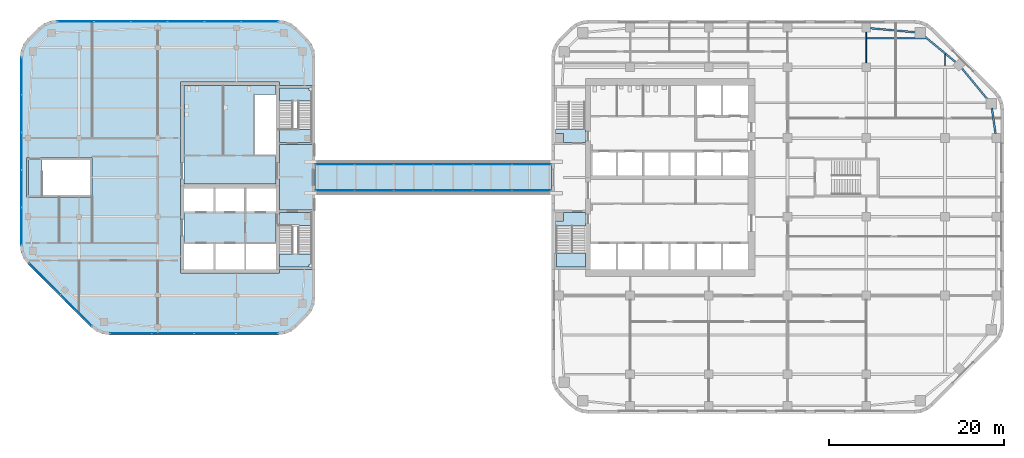
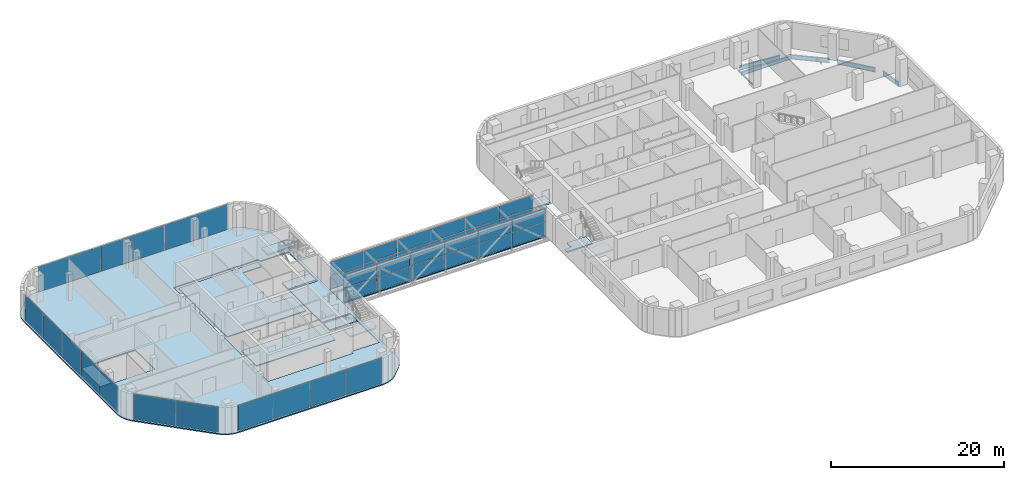
# One storey, part 9 of 21: 41 plates, 12 slabs, 7 beams, 14 elements without a shape of their own.
"""IFC4 building model written with IfcOpenShell, lengths in metres."""

from ifc_helpers import new_model, si_unit, direction, frame, origin, origin_2d, place, context, subcontext, project, spatial, polyline, rectangle, i_section, outline, extrude, material, layer, layer_set, material_profile, profile_set, type_object, element, aggregate, save


model = new_model("IFC4")

# Units and contexts
model_context = context("Model", 3, precision=1e-05, world=origin(), true_north=direction((0.0, 1.0)))
body_context = subcontext(model_context, "Body", "Model", "MODEL_VIEW")
ifc_project = project(units=[si_unit("LENGTHUNIT", "METRE"), si_unit("AREAUNIT", "SQUARE_METRE"), si_unit("VOLUMEUNIT", "CUBIC_METRE"), si_unit("PLANEANGLEUNIT", "RADIAN"), si_unit("MASSUNIT", "GRAM", prefix="KILO")], contexts=[model_context])

# Site, building, storey
site_placement = place(None, origin())
site = spatial("IfcSite", under=ifc_project, at=site_placement, CompositionType="ELEMENT")
building_placement = place(site_placement, origin())
building = spatial("IfcBuilding", under=site, at=building_placement, Name="Cinnabar Reach Civic Tower", CompositionType="ELEMENT")
storey_placement = place(building_placement, frame((0.0, 0.0, 140.0)))
storey = spatial("IfcBuildingStorey", under=building, at=storey_placement, Name="L33", CompositionType="ELEMENT", Elevation=140.0)

# Beams
ifc_material_1 = material(Name="Steel Q355B", Category="steel")
ifc_material_profile_1 = material_profile(ifc_material_1, i_section(OverallWidth=0.099, OverallDepth=0.198, WebThickness=0.0045, FlangeThickness=0.007, FilletRadius=0.013, at=origin_2d()), Name="HN200x100x5.5x8")
ifc_profile_set_1 = profile_set([ifc_material_profile_1], Name="Steel Q355B")
beam_type_1 = type_object("IfcBeamType", Name="HN200x100x5.5x8 beam R 180", PredefinedType="BEAM", material=ifc_profile_set_1)
beam_1_placement = place(storey_placement, frame((36.0, 44.602, -0.249), z_axis=(0.0, 1.0, 0.0), x_axis=(-1.0, 0.0, 0.0)))
element("IfcBeam", 1, at=beam_1_placement, inside=storey, type_object=beam_type_1, Name="Girder T1 L33 21", PredefinedType="BEAM", context=body_context, shape_type="SweptSolid", body=[
    extrude(i_section(OverallWidth=0.099, OverallDepth=0.198, WebThickness=0.0045, FlangeThickness=0.007, FilletRadius=0.013, at=origin_2d()), origin(), (0.0, 0.0, 1.0), 3.496),
])
beam_2_placement = place(storey_placement, frame((45.0, 44.252, -0.249), z_axis=(0.0, 1.0, 0.0), x_axis=(-1.0, 0.0, 0.0)))
element("IfcBeam", 2, at=beam_2_placement, inside=storey, type_object=beam_type_1, Name="Girder T1 L33 26", PredefinedType="BEAM", context=body_context, shape_type="SweptSolid", body=[
    extrude(i_section(OverallWidth=0.099, OverallDepth=0.198, WebThickness=0.0045, FlangeThickness=0.007, FilletRadius=0.013, at=origin_2d()), origin(), (0.0, 0.0, 1.0), 1.3103),
])
ifc_material_profile_2 = material_profile(ifc_material_1, i_section(OverallWidth=0.199, OverallDepth=0.496, WebThickness=0.009, FlangeThickness=0.014, FilletRadius=0.016, at=origin_2d()), Name="HN496x199x9x14")
ifc_profile_set_2 = profile_set([ifc_material_profile_2], Name="Steel Q355B")
beam_type_2 = type_object("IfcBeamType", Name="HN496x199x9x14 beam R 180", PredefinedType="BEAM", material=ifc_profile_set_2)
beam_3_placement = place(storey_placement, frame((36.0515, 47.4, -0.398), z_axis=(1.0, 0.0, 0.0), x_axis=(0.0, 1.0, 0.0)))
element("IfcBeam", 3, at=beam_3_placement, inside=storey, type_object=beam_type_2, Name="Secondary beam T1 L33 24", PredefinedType="BEAM", context=body_context, shape_type="SweptSolid", body=[
    extrude(i_section(OverallWidth=0.199, OverallDepth=0.496, WebThickness=0.009, FlangeThickness=0.014, FilletRadius=0.016, at=origin_2d()), origin(), (0.0, 0.0, 1.0), 6.7206),
])
ifc_material_profile_3 = material_profile(ifc_material_1, i_section(OverallWidth=0.2, OverallDepth=0.6, WebThickness=0.011, FlangeThickness=0.017, FilletRadius=0.016, at=origin_2d()), Name="HN600x200x11x17")
ifc_profile_set_3 = profile_set([ifc_material_profile_3], Name="Steel Q355B")
beam_type_3 = type_object("IfcBeamType", Name="HN600x200x11x17 beam R 180", PredefinedType="BEAM", material=ifc_profile_set_3)
beam_4_placement = place(storey_placement, frame((50.7788, 36.502, -0.45), z_axis=(-0.140489003738, 0.990082238922, 0.0), x_axis=(-0.990082238922, -0.140489003738, 0.0)))
element("IfcBeam", 4, at=beam_4_placement, inside=storey, type_object=beam_type_3, Name="Edge beam T1 L33 11", PredefinedType="BEAM", context=body_context, shape_type="SweptSolid", body=[
    extrude(i_section(OverallWidth=0.2, OverallDepth=0.6, WebThickness=0.011, FlangeThickness=0.017, FilletRadius=0.016, at=origin_2d()), origin(), (0.0, 0.0, 1.0), 2.9433),
])
for number, where, z_axis, x_axis, name in (
    (5, (49.8993, 40.3801, -0.45), (-0.6363041581, 0.77143827905, 0.0), (-0.77143827905, -0.6363041581, 0.0), "Edge beam T1 L33 12"),
    (6, (46.2711, 44.6461, -0.45), (-0.77143827905, 0.6363041581, 0.0), (-0.6363041581, -0.77143827905, 0.0), "Edge beam T1 L33 13"),
):
    element("IfcBeam", number, at=place(storey_placement, frame(where, z_axis=z_axis, x_axis=x_axis)), inside=storey, type_object=beam_type_3, Name=name, PredefinedType="BEAM", context=body_context, shape_type="SweptSolid", body=[
        extrude(i_section(OverallWidth=0.2, OverallDepth=0.6, WebThickness=0.011, FlangeThickness=0.017, FilletRadius=0.016, at=origin_2d()), origin(), (0.0, 0.0, 1.0), 4.7198),
    ])
beam_5_placement = place(storey_placement, frame((41.6661, 48.0903, -0.45), z_axis=(-0.995979069281, 0.089586235294, 0.0), x_axis=(-0.089586235294, -0.995979069281, 0.0)))
element("IfcBeam", 7, at=beam_5_placement, inside=storey, type_object=beam_type_3, Name="Edge beam T1 L33 14", PredefinedType="BEAM", context=body_context, shape_type="SweptSolid", body=[
    extrude(i_section(OverallWidth=0.2, OverallDepth=0.6, WebThickness=0.011, FlangeThickness=0.017, FilletRadius=0.016, at=origin_2d()), origin(), (0.0, 0.0, 1.0), 5.1849),
])

# Curtain wall, plates
ifc_material_2 = material(Name="Aluminium and insulated spandrel panels", Category="aluminium")
curtain_wall_type_1 = type_object("IfcCurtainWallType", Name="Bridge 2 enclosure curtain wall", PredefinedType="NOTDEFINED", material=ifc_material_2)
curtain_wall_1_placement = place(storey_placement, origin())
curtain_wall_1 = element("IfcCurtainWall", 8, at=curtain_wall_1_placement, inside=storey, type_object=curtain_wall_type_1, Name="Bridge 2 enclosure 1", PredefinedType="NOTDEFINED")
ifc_material_3 = material(Name="Aluminium-faced insulated opaque spandrel panel", Category="aluminium")
ifc_layer_1 = layer(ifc_material_3, 0.028)
ifc_layer_set_1 = layer_set([ifc_layer_1], Name="Bridge 2 enclosure spandrel panel")
plate_type_1 = type_object("IfcPlateType", Name="Bridge 2 enclosure spandrel panel", PredefinedType="USERDEFINED", material=ifc_layer_set_1)
plate_1_placement = place(storey_placement, frame((-24.735, 30.0, 0.06), z_axis=(0.0, 0.0, 1.0), x_axis=(1.0, 0.0, 0.0)))
plate_1 = element("IfcPlate", 9, at=plate_1_placement, type_object=plate_type_1, Name="CW-BR2-1 panel 1.1", ObjectType="SPANDREL PANEL", PredefinedType="USERDEFINED", context=body_context, shape_type="SweptSolid", body=[
    extrude(rectangle(XDim=4.41, YDim=0.028, at=origin_2d()), origin(), (0.0, 0.0, 1.0), 1.91),
])
plate_2_placement = place(storey_placement, frame((-24.735, 30.0, 2.03), z_axis=(0.0, 0.0, 1.0), x_axis=(1.0, 0.0, 0.0)))
plate_2 = element("IfcPlate", 10, at=plate_2_placement, type_object=plate_type_1, Name="CW-BR2-1 panel 1.2", ObjectType="SPANDREL PANEL", PredefinedType="USERDEFINED", context=body_context, shape_type="SweptSolid", body=[
    extrude(rectangle(XDim=4.41, YDim=0.028, at=origin_2d()), origin(), (0.0, 0.0, 1.0), 1.86),
])
plate_3_placement = place(storey_placement, frame((-20.265, 30.0, 0.06), z_axis=(0.0, 0.0, 1.0), x_axis=(1.0, 0.0, 0.0)))
plate_3 = element("IfcPlate", 11, at=plate_3_placement, type_object=plate_type_1, Name="CW-BR2-1 panel 2.1", ObjectType="SPANDREL PANEL", PredefinedType="USERDEFINED", context=body_context, shape_type="SweptSolid", body=[
    extrude(rectangle(XDim=4.41, YDim=0.028, at=origin_2d()), origin(), (0.0, 0.0, 1.0), 1.91),
])
plate_4_placement = place(storey_placement, frame((-20.265, 30.0, 2.03), z_axis=(0.0, 0.0, 1.0), x_axis=(1.0, 0.0, 0.0)))
plate_4 = element("IfcPlate", 12, at=plate_4_placement, type_object=plate_type_1, Name="CW-BR2-1 panel 2.2", ObjectType="SPANDREL PANEL", PredefinedType="USERDEFINED", context=body_context, shape_type="SweptSolid", body=[
    extrude(rectangle(XDim=4.41, YDim=0.028, at=origin_2d()), origin(), (0.0, 0.0, 1.0), 1.86),
])
aggregate(curtain_wall_1, [plate_1, plate_2, plate_3, plate_4])

curtain_wall_2_placement = place(storey_placement, origin())
curtain_wall_2 = element("IfcCurtainWall", 13, at=curtain_wall_2_placement, inside=storey, type_object=curtain_wall_type_1, Name="Bridge 2 enclosure 2", PredefinedType="NOTDEFINED")
plate_5_placement = place(storey_placement, frame((-15.735, 30.0, 0.06), z_axis=(0.0, 0.0, 1.0), x_axis=(1.0, 0.0, 0.0)))
plate_5 = element("IfcPlate", 14, at=plate_5_placement, type_object=plate_type_1, Name="CW-BR2-2 panel 1.1", ObjectType="SPANDREL PANEL", PredefinedType="USERDEFINED", context=body_context, shape_type="SweptSolid", body=[
    extrude(rectangle(XDim=4.41, YDim=0.028, at=origin_2d()), origin(), (0.0, 0.0, 1.0), 1.91),
])
plate_6_placement = place(storey_placement, frame((-15.735, 30.0, 2.03), z_axis=(0.0, 0.0, 1.0), x_axis=(1.0, 0.0, 0.0)))
plate_6 = element("IfcPlate", 15, at=plate_6_placement, type_object=plate_type_1, Name="CW-BR2-2 panel 1.2", ObjectType="SPANDREL PANEL", PredefinedType="USERDEFINED", context=body_context, shape_type="SweptSolid", body=[
    extrude(rectangle(XDim=4.41, YDim=0.028, at=origin_2d()), origin(), (0.0, 0.0, 1.0), 1.86),
])
plate_7_placement = place(storey_placement, frame((-11.265, 30.0, 0.06), z_axis=(0.0, 0.0, 1.0), x_axis=(1.0, 0.0, 0.0)))
plate_7 = element("IfcPlate", 16, at=plate_7_placement, type_object=plate_type_1, Name="CW-BR2-2 panel 2.1", ObjectType="SPANDREL PANEL", PredefinedType="USERDEFINED", context=body_context, shape_type="SweptSolid", body=[
    extrude(rectangle(XDim=4.41, YDim=0.028, at=origin_2d()), origin(), (0.0, 0.0, 1.0), 1.91),
])
plate_8_placement = place(storey_placement, frame((-11.265, 30.0, 2.03), z_axis=(0.0, 0.0, 1.0), x_axis=(1.0, 0.0, 0.0)))
plate_8 = element("IfcPlate", 17, at=plate_8_placement, type_object=plate_type_1, Name="CW-BR2-2 panel 2.2", ObjectType="SPANDREL PANEL", PredefinedType="USERDEFINED", context=body_context, shape_type="SweptSolid", body=[
    extrude(rectangle(XDim=4.41, YDim=0.028, at=origin_2d()), origin(), (0.0, 0.0, 1.0), 1.86),
])
aggregate(curtain_wall_2, [plate_5, plate_6, plate_7, plate_8])

curtain_wall_3_placement = place(storey_placement, origin())
curtain_wall_3 = element("IfcCurtainWall", 18, at=curtain_wall_3_placement, inside=storey, type_object=curtain_wall_type_1, Name="Bridge 2 enclosure 3", PredefinedType="NOTDEFINED")
plate_9_placement = place(storey_placement, frame((-6.735, 30.0, 0.06), z_axis=(0.0, 0.0, 1.0), x_axis=(1.0, 0.0, 0.0)))
plate_9 = element("IfcPlate", 19, at=plate_9_placement, type_object=plate_type_1, Name="CW-BR2-3 panel 1.1", ObjectType="SPANDREL PANEL", PredefinedType="USERDEFINED", context=body_context, shape_type="SweptSolid", body=[
    extrude(rectangle(XDim=4.41, YDim=0.028, at=origin_2d()), origin(), (0.0, 0.0, 1.0), 1.91),
])
plate_10_placement = place(storey_placement, frame((-6.735, 30.0, 2.03), z_axis=(0.0, 0.0, 1.0), x_axis=(1.0, 0.0, 0.0)))
plate_10 = element("IfcPlate", 20, at=plate_10_placement, type_object=plate_type_1, Name="CW-BR2-3 panel 1.2", ObjectType="SPANDREL PANEL", PredefinedType="USERDEFINED", context=body_context, shape_type="SweptSolid", body=[
    extrude(rectangle(XDim=4.41, YDim=0.028, at=origin_2d()), origin(), (0.0, 0.0, 1.0), 1.86),
])
plate_11_placement = place(storey_placement, frame((-2.265, 30.0, 0.06), z_axis=(0.0, 0.0, 1.0), x_axis=(1.0, 0.0, 0.0)))
plate_11 = element("IfcPlate", 21, at=plate_11_placement, type_object=plate_type_1, Name="CW-BR2-3 panel 2.1", ObjectType="SPANDREL PANEL", PredefinedType="USERDEFINED", context=body_context, shape_type="SweptSolid", body=[
    extrude(rectangle(XDim=4.41, YDim=0.028, at=origin_2d()), origin(), (0.0, 0.0, 1.0), 1.91),
])
plate_12_placement = place(storey_placement, frame((-2.265, 30.0, 2.03), z_axis=(0.0, 0.0, 1.0), x_axis=(1.0, 0.0, 0.0)))
plate_12 = element("IfcPlate", 22, at=plate_12_placement, type_object=plate_type_1, Name="CW-BR2-3 panel 2.2", ObjectType="SPANDREL PANEL", PredefinedType="USERDEFINED", context=body_context, shape_type="SweptSolid", body=[
    extrude(rectangle(XDim=4.41, YDim=0.028, at=origin_2d()), origin(), (0.0, 0.0, 1.0), 1.86),
])
aggregate(curtain_wall_3, [plate_9, plate_10, plate_11, plate_12])

curtain_wall_4_placement = place(storey_placement, origin())
curtain_wall_4 = element("IfcCurtainWall", 23, at=curtain_wall_4_placement, inside=storey, type_object=curtain_wall_type_1, Name="Bridge 2 enclosure 4", PredefinedType="NOTDEFINED")
plate_13_placement = place(storey_placement, frame((-24.735, 33.0, 0.06), z_axis=(0.0, 0.0, 1.0), x_axis=(1.0, 0.0, 0.0)))
plate_13 = element("IfcPlate", 24, at=plate_13_placement, type_object=plate_type_1, Name="CW-BR2-4 panel 1.1", ObjectType="SPANDREL PANEL", PredefinedType="USERDEFINED", context=body_context, shape_type="SweptSolid", body=[
    extrude(rectangle(XDim=4.41, YDim=0.028, at=origin_2d()), origin(), (0.0, 0.0, 1.0), 1.91),
])
plate_14_placement = place(storey_placement, frame((-24.735, 33.0, 2.03), z_axis=(0.0, 0.0, 1.0), x_axis=(1.0, 0.0, 0.0)))
plate_14 = element("IfcPlate", 25, at=plate_14_placement, type_object=plate_type_1, Name="CW-BR2-4 panel 1.2", ObjectType="SPANDREL PANEL", PredefinedType="USERDEFINED", context=body_context, shape_type="SweptSolid", body=[
    extrude(rectangle(XDim=4.41, YDim=0.028, at=origin_2d()), origin(), (0.0, 0.0, 1.0), 1.86),
])
plate_15_placement = place(storey_placement, frame((-20.265, 33.0, 0.06), z_axis=(0.0, 0.0, 1.0), x_axis=(1.0, 0.0, 0.0)))
plate_15 = element("IfcPlate", 26, at=plate_15_placement, type_object=plate_type_1, Name="CW-BR2-4 panel 2.1", ObjectType="SPANDREL PANEL", PredefinedType="USERDEFINED", context=body_context, shape_type="SweptSolid", body=[
    extrude(rectangle(XDim=4.41, YDim=0.028, at=origin_2d()), origin(), (0.0, 0.0, 1.0), 1.91),
])
plate_16_placement = place(storey_placement, frame((-20.265, 33.0, 2.03), z_axis=(0.0, 0.0, 1.0), x_axis=(1.0, 0.0, 0.0)))
plate_16 = element("IfcPlate", 27, at=plate_16_placement, type_object=plate_type_1, Name="CW-BR2-4 panel 2.2", ObjectType="SPANDREL PANEL", PredefinedType="USERDEFINED", context=body_context, shape_type="SweptSolid", body=[
    extrude(rectangle(XDim=4.41, YDim=0.028, at=origin_2d()), origin(), (0.0, 0.0, 1.0), 1.86),
])
aggregate(curtain_wall_4, [plate_13, plate_14, plate_15, plate_16])

curtain_wall_5_placement = place(storey_placement, origin())
curtain_wall_5 = element("IfcCurtainWall", 28, at=curtain_wall_5_placement, inside=storey, type_object=curtain_wall_type_1, Name="Bridge 2 enclosure 5", PredefinedType="NOTDEFINED")
plate_17_placement = place(storey_placement, frame((-15.735, 33.0, 0.06), z_axis=(0.0, 0.0, 1.0), x_axis=(1.0, 0.0, 0.0)))
plate_17 = element("IfcPlate", 29, at=plate_17_placement, type_object=plate_type_1, Name="CW-BR2-5 panel 1.1", ObjectType="SPANDREL PANEL", PredefinedType="USERDEFINED", context=body_context, shape_type="SweptSolid", body=[
    extrude(rectangle(XDim=4.41, YDim=0.028, at=origin_2d()), origin(), (0.0, 0.0, 1.0), 1.91),
])
plate_18_placement = place(storey_placement, frame((-15.735, 33.0, 2.03), z_axis=(0.0, 0.0, 1.0), x_axis=(1.0, 0.0, 0.0)))
plate_18 = element("IfcPlate", 30, at=plate_18_placement, type_object=plate_type_1, Name="CW-BR2-5 panel 1.2", ObjectType="SPANDREL PANEL", PredefinedType="USERDEFINED", context=body_context, shape_type="SweptSolid", body=[
    extrude(rectangle(XDim=4.41, YDim=0.028, at=origin_2d()), origin(), (0.0, 0.0, 1.0), 1.86),
])
plate_19_placement = place(storey_placement, frame((-11.265, 33.0, 0.06), z_axis=(0.0, 0.0, 1.0), x_axis=(1.0, 0.0, 0.0)))
plate_19 = element("IfcPlate", 31, at=plate_19_placement, type_object=plate_type_1, Name="CW-BR2-5 panel 2.1", ObjectType="SPANDREL PANEL", PredefinedType="USERDEFINED", context=body_context, shape_type="SweptSolid", body=[
    extrude(rectangle(XDim=4.41, YDim=0.028, at=origin_2d()), origin(), (0.0, 0.0, 1.0), 1.91),
])
plate_20_placement = place(storey_placement, frame((-11.265, 33.0, 2.03), z_axis=(0.0, 0.0, 1.0), x_axis=(1.0, 0.0, 0.0)))
plate_20 = element("IfcPlate", 32, at=plate_20_placement, type_object=plate_type_1, Name="CW-BR2-5 panel 2.2", ObjectType="SPANDREL PANEL", PredefinedType="USERDEFINED", context=body_context, shape_type="SweptSolid", body=[
    extrude(rectangle(XDim=4.41, YDim=0.028, at=origin_2d()), origin(), (0.0, 0.0, 1.0), 1.86),
])
aggregate(curtain_wall_5, [plate_17, plate_18, plate_19, plate_20])

curtain_wall_6_placement = place(storey_placement, origin())
curtain_wall_6 = element("IfcCurtainWall", 33, at=curtain_wall_6_placement, inside=storey, type_object=curtain_wall_type_1, Name="Bridge 2 enclosure 6", PredefinedType="NOTDEFINED")
plate_21_placement = place(storey_placement, frame((-6.735, 33.0, 0.06), z_axis=(0.0, 0.0, 1.0), x_axis=(1.0, 0.0, 0.0)))
plate_21 = element("IfcPlate", 34, at=plate_21_placement, type_object=plate_type_1, Name="CW-BR2-6 panel 1.1", ObjectType="SPANDREL PANEL", PredefinedType="USERDEFINED", context=body_context, shape_type="SweptSolid", body=[
    extrude(rectangle(XDim=4.41, YDim=0.028, at=origin_2d()), origin(), (0.0, 0.0, 1.0), 1.91),
])
plate_22_placement = place(storey_placement, frame((-6.735, 33.0, 2.03), z_axis=(0.0, 0.0, 1.0), x_axis=(1.0, 0.0, 0.0)))
plate_22 = element("IfcPlate", 35, at=plate_22_placement, type_object=plate_type_1, Name="CW-BR2-6 panel 1.2", ObjectType="SPANDREL PANEL", PredefinedType="USERDEFINED", context=body_context, shape_type="SweptSolid", body=[
    extrude(rectangle(XDim=4.41, YDim=0.028, at=origin_2d()), origin(), (0.0, 0.0, 1.0), 1.86),
])
plate_23_placement = place(storey_placement, frame((-2.265, 33.0, 0.06), z_axis=(0.0, 0.0, 1.0), x_axis=(1.0, 0.0, 0.0)))
plate_23 = element("IfcPlate", 36, at=plate_23_placement, type_object=plate_type_1, Name="CW-BR2-6 panel 2.1", ObjectType="SPANDREL PANEL", PredefinedType="USERDEFINED", context=body_context, shape_type="SweptSolid", body=[
    extrude(rectangle(XDim=4.41, YDim=0.028, at=origin_2d()), origin(), (0.0, 0.0, 1.0), 1.91),
])
plate_24_placement = place(storey_placement, frame((-2.265, 33.0, 2.03), z_axis=(0.0, 0.0, 1.0), x_axis=(1.0, 0.0, 0.0)))
plate_24 = element("IfcPlate", 37, at=plate_24_placement, type_object=plate_type_1, Name="CW-BR2-6 panel 2.2", ObjectType="SPANDREL PANEL", PredefinedType="USERDEFINED", context=body_context, shape_type="SweptSolid", body=[
    extrude(rectangle(XDim=4.41, YDim=0.028, at=origin_2d()), origin(), (0.0, 0.0, 1.0), 1.86),
])
aggregate(curtain_wall_6, [plate_21, plate_22, plate_23, plate_24])

# Slabs
ifc_material_4 = material(Name="Concrete C40", Category="concrete")
ifc_layer_2 = layer(ifc_material_4, 0.15)
ifc_layer_set_2 = layer_set([ifc_layer_2], Name="Bridge deck 150")
slab_type_1 = type_object("IfcSlabType", Name="Bridge deck 150", PredefinedType="FLOOR", material=ifc_layer_set_2)
slab_1_placement = place(storey_placement, frame((0.0, 0.0, -0.15)))
element("IfcSlab", 38, at=slab_1_placement, inside=storey, type_object=slab_type_1, Name="BR2 deck", PredefinedType="FLOOR", context=body_context, shape_type="SweptSolid", body=[
    extrude(outline(polyline([(-27.0, 29.9025), (0.0, 29.9025), (0.0, 33.0975), (-27.0, 33.0975), (-27.0, 29.9025)])), origin(), (0.0, 0.0, 1.0), 0.15),
])
ifc_layer_3 = layer(ifc_material_4, 0.15)
ifc_layer_set_3 = layer_set([ifc_layer_3], Name="Composite floor slab 150 REI 120")
slab_type_2 = type_object("IfcSlabType", Name="Composite floor slab 150 REI 120", PredefinedType="FLOOR", material=ifc_layer_set_3)
slab_2_placement = place(storey_placement, frame((0.0, 0.0, -0.15)))
element("IfcSlab", 39, at=slab_2_placement, inside=storey, type_object=slab_type_2, Name="Composite floor slab 150 T2 L33", PredefinedType="FLOOR", context=body_context, shape_type="SweptSolid", body=[
    extrude(outline(polyline([(-59.8713, 21.6213), (-60.3481, 22.2426), (-60.6478, 22.9662), (-60.75, 23.7426), (-60.75, 45.2574), (-60.6478, 46.0338), (-60.3481, 46.7574), (-59.8713, 47.3787), (-58.6287, 48.6213), (-58.0074, 49.0981), (-57.2838, 49.3978), (-56.5074, 49.5), (-31.2426, 49.5), (-30.4662, 49.3978), (-29.7426, 49.0981), (-29.1213, 48.6213), (-27.8787, 47.3787), (-27.4019, 46.7574), (-27.1022, 46.0338), (-27.0, 45.2574), (-27.0, 17.7426), (-27.1022, 16.9662), (-27.4019, 16.2426), (-27.8787, 15.6213), (-29.1213, 14.3787), (-29.7426, 13.9019), (-30.4662, 13.6022), (-31.2426, 13.5), (-50.5074, 13.5), (-51.2838, 13.6022), (-52.0074, 13.9019), (-52.6287, 14.3787), (-59.8713, 21.6213)]), holes=[polyline([(-31.1, 27.75), (-31.1, 35.25), (-27.36, 35.25), (-27.36, 42.0), (-31.1, 42.0), (-31.1, 42.4), (-42.4, 42.4), (-42.4, 20.6), (-31.1, 20.6), (-31.1, 21.0), (-27.36, 21.0), (-27.36, 27.75), (-31.1, 27.75)]), polyline([(-60.0, 33.75), (-60.0, 29.25), (-52.5, 29.25), (-52.5, 33.75), (-60.0, 33.75)])]), origin(), (0.0, 0.0, 1.0), 0.15),
])

# Stair, slabs
ifc_material_5 = material(Name="Concrete C40/50", Category="concrete")
stair_type_1 = type_object("IfcStairType", Name="T1 Exit stair, half-turn", PredefinedType="HALF_TURN_STAIR", material=ifc_material_5)
stair_1_placement = place(storey_placement, origin())
stair_1 = element("IfcStair", 40, at=stair_1_placement, inside=storey, type_object=stair_type_1, Name="Stair T1-S1", PredefinedType="HALF_TURN_STAIR")
ifc_layer_4 = layer(ifc_material_5, 0.2)
ifc_layer_set_4 = layer_set([ifc_layer_4], Name="T1 Stair landing 200, Concrete C40/50")
slab_type_3 = type_object("IfcSlabType", Name="T1 Stair landing 200, Concrete C40/50", PredefinedType="LANDING", material=ifc_layer_set_4)
slab_3_placement = place(storey_placement, frame((0.0, 0.0, -0.2)))
slab_3 = element("IfcSlab", 41, at=slab_3_placement, type_object=slab_type_3, Name="T1-S1 landing 1", PredefinedType="LANDING", context=body_context, shape_type="SweptSolid", body=[
    extrude(outline(polyline([(3.9, 27.5), (3.9, 25.95), (0.5, 25.95), (0.5, 26.5), (1.4, 26.5), (1.4, 27.5), (3.9, 27.5)])), origin(), (0.0, 0.0, 1.0), 0.2),
])
slab_4_placement = place(storey_placement, frame((0.0, 0.0, 1.8)))
slab_4 = element("IfcSlab", 42, at=slab_4_placement, type_object=slab_type_3, Name="T1-S1 landing 2", PredefinedType="LANDING", context=body_context, shape_type="SweptSolid", body=[
    extrude(outline(polyline([(0.6, 21.25), (0.6, 22.87), (3.9, 22.87), (3.9, 21.25), (0.6, 21.25)])), origin(), (0.0, 0.0, 1.0), 0.2),
])
aggregate(stair_1, [slab_3, slab_4])

# Stair, slab
stair_2_placement = place(storey_placement, origin())
stair_2 = element("IfcStair", 43, at=stair_2_placement, inside=storey, type_object=stair_type_1, Name="Stair T1-S2", PredefinedType="HALF_TURN_STAIR")
slab_5_placement = place(storey_placement, frame((0.0, 0.0, -0.2)))
slab_5 = element("IfcSlab", 44, at=slab_5_placement, type_object=slab_type_3, Name="T1-S2 landing 1", PredefinedType="LANDING", context=body_context, shape_type="SweptSolid", body=[
    extrude(outline(polyline([(0.5, 37.05), (3.9, 37.05), (3.9, 35.5), (1.4, 35.5), (1.4, 36.5), (0.5, 36.5), (0.5, 37.05)])), origin(), (0.0, 0.0, 1.0), 0.2),
])
aggregate(stair_2, [slab_5])

# Slabs
ifc_layer_5 = layer(ifc_material_4, 0.15)
ifc_layer_set_5 = layer_set([ifc_layer_5], Name="T2 Core floor slab 150")
slab_type_4 = type_object("IfcSlabType", Name="T2 Core floor slab 150", PredefinedType="FLOOR", material=ifc_layer_set_5)
slab_6_placement = place(storey_placement, frame((0.0, 0.0, -0.15)))
element("IfcSlab", 45, at=slab_6_placement, inside=storey, type_object=slab_type_4, Name="Core floor slab L33", PredefinedType="FLOOR", context=body_context, shape_type="SweptSolid", body=[
    extrude(outline(polyline([(-42.0, 42.0), (-31.5, 42.0), (-31.5, 41.0), (-34.0, 41.0), (-34.0, 34.0), (-31.5, 34.0), (-31.5, 30.75), (-42.0, 30.75), (-42.0, 42.0)])), origin(), (0.0, 0.0, 1.0), 0.15),
])
slab_7_placement = place(storey_placement, frame((0.0, 0.0, -0.15)))
element("IfcSlab", 46, at=slab_7_placement, inside=storey, type_object=slab_type_4, Name="Core floor slab L33", PredefinedType="FLOOR", context=body_context, shape_type="SweptSolid", body=[
    extrude(outline(polyline([(-35.0, 24.0), (-38.5, 24.0), (-42.0, 24.0), (-42.0, 27.5), (-38.5, 27.5), (-35.0, 27.5), (-31.5, 27.5), (-31.5, 24.0), (-35.0, 24.0)])), origin(), (0.0, 0.0, 1.0), 0.15),
])

# Stair, slabs
stair_type_2 = type_object("IfcStairType", Name="T2 Exit stair 1500", PredefinedType="HALF_TURN_STAIR", material=ifc_material_4)
stair_3_placement = place(storey_placement, origin())
stair_3 = element("IfcStair", 47, at=stair_3_placement, inside=storey, type_object=stair_type_2, Name="Exit stair 1", PredefinedType="HALF_TURN_STAIR")
ifc_layer_6 = layer(ifc_material_4, 0.2)
ifc_layer_set_6 = layer_set([ifc_layer_6], Name="T2 Stair landing 200")
slab_type_5 = type_object("IfcSlabType", Name="T2 Stair landing 200", PredefinedType="LANDING", material=ifc_layer_set_6)
slab_8_placement = place(storey_placement, frame((0.0, 0.0, -0.2)))
slab_8 = element("IfcSlab", 48, at=slab_8_placement, type_object=slab_type_5, Name="ST1 landing 1", PredefinedType="LANDING", context=body_context, shape_type="SweptSolid", body=[
    extrude(outline(polyline([(-31.1, 26.0), (-31.1, 27.5), (-27.4, 27.5), (-27.4, 26.0), (-31.1, 26.0)])), origin(), (0.0, 0.0, 1.0), 0.2),
])
slab_9_placement = place(storey_placement, frame((0.0, 0.0, 1.8)))
slab_9 = element("IfcSlab", 49, at=slab_9_placement, type_object=slab_type_5, Name="ST1 landing 2", PredefinedType="LANDING", context=body_context, shape_type="SweptSolid", body=[
    extrude(outline(polyline([(-31.1, 21.25), (-31.1, 22.75), (-27.4, 22.75), (-27.4, 21.55), (-27.7, 21.55), (-27.7, 21.25), (-31.1, 21.25)])), origin(), (0.0, 0.0, 1.0), 0.2),
])
aggregate(stair_3, [slab_8, slab_9])

stair_4_placement = place(storey_placement, origin())
stair_4 = element("IfcStair", 50, at=stair_4_placement, inside=storey, type_object=stair_type_2, Name="Exit stair 2", PredefinedType="HALF_TURN_STAIR")
slab_10_placement = place(storey_placement, frame((0.0, 0.0, -0.2)))
slab_10 = element("IfcSlab", 51, at=slab_10_placement, type_object=slab_type_5, Name="ST2 landing 1", PredefinedType="LANDING", context=body_context, shape_type="SweptSolid", body=[
    extrude(outline(polyline([(-31.1, 35.5), (-31.1, 37.0), (-27.4, 37.0), (-27.4, 35.5), (-31.1, 35.5)])), origin(), (0.0, 0.0, 1.0), 0.2),
])
slab_11_placement = place(storey_placement, frame((0.0, 0.0, 1.8)))
slab_11 = element("IfcSlab", 52, at=slab_11_placement, type_object=slab_type_5, Name="ST2 landing 2", PredefinedType="LANDING", context=body_context, shape_type="SweptSolid", body=[
    extrude(outline(polyline([(-27.4, 40.25), (-31.1, 40.25), (-31.1, 41.75), (-27.7, 41.75), (-27.7, 41.45), (-27.4, 41.45), (-27.4, 40.25)])), origin(), (0.0, 0.0, 1.0), 0.2),
])
aggregate(stair_4, [slab_10, slab_11])

# Slab
slab_12_placement = place(storey_placement, frame((0.0, 0.0, -0.2)))
element("IfcSlab", 53, at=slab_12_placement, inside=storey, type_object=slab_type_5, Name="Stair landing L33", PredefinedType="LANDING", context=body_context, shape_type="SweptSolid", body=[
    extrude(outline(polyline([(-58.25, 29.375), (-58.25, 33.625), (-59.75, 33.625), (-59.75, 29.375), (-58.25, 29.375)])), origin(), (0.0, 0.0, 1.0), 0.2),
])

# Curtain wall, plates
ifc_material_6 = material(Name="Aluminium and clear double glazing", Category="aluminium")
curtain_wall_type_2 = type_object("IfcCurtainWallType", Name="Tower 2 sky lobby and amenity curtain wall", PredefinedType="NOTDEFINED", material=ifc_material_6)
curtain_wall_7_placement = place(storey_placement, origin())
curtain_wall_7 = element("IfcCurtainWall", 54, at=curtain_wall_7_placement, inside=storey, type_object=curtain_wall_type_2, Name="Tower 2 sky lobby and amenity 5", PredefinedType="NOTDEFINED")
ifc_material_7 = material(Name="Clear double glazing", Category="glass")
ifc_layer_7 = layer(ifc_material_7, 0.028)
ifc_layer_set_7 = layer_set([ifc_layer_7], Name="Tower 2 sky lobby and amenity glazing panel")
plate_type_2 = type_object("IfcPlateType", Name="Tower 2 sky lobby and amenity glazing panel", PredefinedType="CURTAIN_PANEL", material=ifc_layer_set_7)
plate_25_placement = place(storey_placement, frame((-48.0843, 13.68, 0.06), z_axis=(0.0, 0.0, 1.0), x_axis=(1.0, 0.0, 0.0)))
plate_25 = element("IfcPlate", 55, at=plate_25_placement, type_object=plate_type_2, Name="CW-T2SKY-5 panel 1.1", PredefinedType="CURTAIN_PANEL", context=body_context, shape_type="SweptSolid", body=[
    extrude(rectangle(XDim=4.7262, YDim=0.028, at=origin_2d()), origin(), (0.0, 0.0, 1.0), 3.58),
])
plate_26_placement = place(storey_placement, frame((-43.2831, 13.68, 0.06), z_axis=(0.0, 0.0, 1.0), x_axis=(1.0, 0.0, 0.0)))
plate_26 = element("IfcPlate", 56, at=plate_26_placement, type_object=plate_type_2, Name="CW-T2SKY-5 panel 2.1", PredefinedType="CURTAIN_PANEL", context=body_context, shape_type="SweptSolid", body=[
    extrude(rectangle(XDim=4.7562, YDim=0.028, at=origin_2d()), origin(), (0.0, 0.0, 1.0), 3.58),
])
plate_27_placement = place(storey_placement, frame((-38.4669, 13.68, 0.06), z_axis=(0.0, 0.0, 1.0), x_axis=(1.0, 0.0, 0.0)))
plate_27 = element("IfcPlate", 57, at=plate_27_placement, type_object=plate_type_2, Name="CW-T2SKY-5 panel 3.1", PredefinedType="CURTAIN_PANEL", context=body_context, shape_type="SweptSolid", body=[
    extrude(rectangle(XDim=4.7562, YDim=0.028, at=origin_2d()), origin(), (0.0, 0.0, 1.0), 3.58),
])
plate_28_placement = place(storey_placement, frame((-33.6657, 13.68, 0.06), z_axis=(0.0, 0.0, 1.0), x_axis=(1.0, 0.0, 0.0)))
plate_28 = element("IfcPlate", 58, at=plate_28_placement, type_object=plate_type_2, Name="CW-T2SKY-5 panel 4.1", PredefinedType="CURTAIN_PANEL", context=body_context, shape_type="SweptSolid", body=[
    extrude(rectangle(XDim=4.7262, YDim=0.028, at=origin_2d()), origin(), (0.0, 0.0, 1.0), 3.58),
])
aggregate(curtain_wall_7, [plate_25, plate_26, plate_27, plate_28])

curtain_wall_8_placement = place(storey_placement, origin())
curtain_wall_8 = element("IfcCurtainWall", 59, at=curtain_wall_8_placement, inside=storey, type_object=curtain_wall_type_2, Name="Tower 2 sky lobby and amenity 6", PredefinedType="NOTDEFINED")
plate_29_placement = place(storey_placement, frame((-33.363, 49.32, 0.06), z_axis=(0.0, 0.0, 1.0), x_axis=(-1.0, 0.0, 0.0)))
plate_29 = element("IfcPlate", 60, at=plate_29_placement, type_object=plate_type_2, Name="CW-T2SKY-6 panel 1.1", PredefinedType="CURTAIN_PANEL", context=body_context, shape_type="SweptSolid", body=[
    extrude(rectangle(XDim=4.1208, YDim=0.028, at=origin_2d()), origin(), (0.0, 0.0, 1.0), 3.58),
])
plate_30_placement = place(storey_placement, frame((-37.5588, 49.32, 0.06), z_axis=(0.0, 0.0, 1.0), x_axis=(-1.0, 0.0, 0.0)))
plate_30 = element("IfcPlate", 61, at=plate_30_placement, type_object=plate_type_2, Name="CW-T2SKY-6 panel 2.1", PredefinedType="CURTAIN_PANEL", context=body_context, shape_type="SweptSolid", body=[
    extrude(rectangle(XDim=4.1508, YDim=0.028, at=origin_2d()), origin(), (0.0, 0.0, 1.0), 3.58),
])
plate_31_placement = place(storey_placement, frame((-41.7696, 49.32, 0.06), z_axis=(0.0, 0.0, 1.0), x_axis=(-1.0, 0.0, 0.0)))
plate_31 = element("IfcPlate", 62, at=plate_31_placement, type_object=plate_type_2, Name="CW-T2SKY-6 panel 3.1", PredefinedType="CURTAIN_PANEL", context=body_context, shape_type="SweptSolid", body=[
    extrude(rectangle(XDim=4.1508, YDim=0.028, at=origin_2d()), origin(), (0.0, 0.0, 1.0), 3.58),
])
plate_32_placement = place(storey_placement, frame((-45.9804, 49.32, 0.06), z_axis=(0.0, 0.0, 1.0), x_axis=(-1.0, 0.0, 0.0)))
plate_32 = element("IfcPlate", 63, at=plate_32_placement, type_object=plate_type_2, Name="CW-T2SKY-6 panel 4.1", PredefinedType="CURTAIN_PANEL", context=body_context, shape_type="SweptSolid", body=[
    extrude(rectangle(XDim=4.1508, YDim=0.028, at=origin_2d()), origin(), (0.0, 0.0, 1.0), 3.58),
])
plate_33_placement = place(storey_placement, frame((-50.1912, 49.32, 0.06), z_axis=(0.0, 0.0, 1.0), x_axis=(-1.0, 0.0, 0.0)))
plate_33 = element("IfcPlate", 64, at=plate_33_placement, type_object=plate_type_2, Name="CW-T2SKY-6 panel 5.1", PredefinedType="CURTAIN_PANEL", context=body_context, shape_type="SweptSolid", body=[
    extrude(rectangle(XDim=4.1508, YDim=0.028, at=origin_2d()), origin(), (0.0, 0.0, 1.0), 3.58),
])
plate_34_placement = place(storey_placement, frame((-54.387, 49.32, 0.06), z_axis=(0.0, 0.0, 1.0), x_axis=(-1.0, 0.0, 0.0)))
plate_34 = element("IfcPlate", 65, at=plate_34_placement, type_object=plate_type_2, Name="CW-T2SKY-6 panel 6.1", PredefinedType="CURTAIN_PANEL", context=body_context, shape_type="SweptSolid", body=[
    extrude(rectangle(XDim=4.1208, YDim=0.028, at=origin_2d()), origin(), (0.0, 0.0, 1.0), 3.58),
])
aggregate(curtain_wall_8, [plate_29, plate_30, plate_31, plate_32, plate_33, plate_34])

curtain_wall_9_placement = place(storey_placement, origin())
curtain_wall_9 = element("IfcCurtainWall", 66, at=curtain_wall_9_placement, inside=storey, type_object=curtain_wall_type_2, Name="Tower 2 sky lobby and amenity 7", PredefinedType="NOTDEFINED")
plate_35_placement = place(storey_placement, frame((-60.57, 43.0909, 0.06), z_axis=(0.0, 0.0, 1.0), x_axis=(0.0, -1.0, 0.0)))
plate_35 = element("IfcPlate", 67, at=plate_35_placement, type_object=plate_type_2, Name="CW-T2SKY-7 panel 1.1", PredefinedType="CURTAIN_PANEL", context=body_context, shape_type="SweptSolid", body=[
    extrude(rectangle(XDim=4.213, YDim=0.028, at=origin_2d()), origin(), (0.0, 0.0, 1.0), 3.58),
])
plate_36_placement = place(storey_placement, frame((-60.57, 38.803, 0.06), z_axis=(0.0, 0.0, 1.0), x_axis=(0.0, -1.0, 0.0)))
plate_36 = element("IfcPlate", 68, at=plate_36_placement, type_object=plate_type_2, Name="CW-T2SKY-7 panel 2.1", PredefinedType="CURTAIN_PANEL", context=body_context, shape_type="SweptSolid", body=[
    extrude(rectangle(XDim=4.243, YDim=0.028, at=origin_2d()), origin(), (0.0, 0.0, 1.0), 3.58),
])
plate_37_placement = place(storey_placement, frame((-60.57, 34.5, 0.06), z_axis=(0.0, 0.0, 1.0), x_axis=(0.0, -1.0, 0.0)))
plate_37 = element("IfcPlate", 69, at=plate_37_placement, type_object=plate_type_2, Name="CW-T2SKY-7 panel 3.1", PredefinedType="CURTAIN_PANEL", context=body_context, shape_type="SweptSolid", body=[
    extrude(rectangle(XDim=4.243, YDim=0.028, at=origin_2d()), origin(), (0.0, 0.0, 1.0), 3.58),
])
plate_38_placement = place(storey_placement, frame((-60.57, 30.197, 0.06), z_axis=(0.0, 0.0, 1.0), x_axis=(0.0, -1.0, 0.0)))
plate_38 = element("IfcPlate", 70, at=plate_38_placement, type_object=plate_type_2, Name="CW-T2SKY-7 panel 4.1", PredefinedType="CURTAIN_PANEL", context=body_context, shape_type="SweptSolid", body=[
    extrude(rectangle(XDim=4.243, YDim=0.028, at=origin_2d()), origin(), (0.0, 0.0, 1.0), 3.58),
])
plate_39_placement = place(storey_placement, frame((-60.57, 25.9091, 0.06), z_axis=(0.0, 0.0, 1.0), x_axis=(0.0, -1.0, 0.0)))
plate_39 = element("IfcPlate", 71, at=plate_39_placement, type_object=plate_type_2, Name="CW-T2SKY-7 panel 5.1", PredefinedType="CURTAIN_PANEL", context=body_context, shape_type="SweptSolid", body=[
    extrude(rectangle(XDim=4.213, YDim=0.028, at=origin_2d()), origin(), (0.0, 0.0, 1.0), 3.58),
])
aggregate(curtain_wall_9, [plate_35, plate_36, plate_37, plate_38, plate_39])

curtain_wall_10_placement = place(storey_placement, origin())
curtain_wall_10 = element("IfcCurtainWall", 72, at=curtain_wall_10_placement, inside=storey, type_object=curtain_wall_type_2, Name="Tower 2 sky lobby and amenity 8", PredefinedType="NOTDEFINED")
plate_40_placement = place(storey_placement, frame((-57.9227, 19.9273, 0.06), z_axis=(0.0, 0.0, 1.0), x_axis=(0.707106781187, -0.707106781187, 0.0)))
plate_40 = element("IfcPlate", 73, at=plate_40_placement, type_object=plate_type_2, Name="CW-T2SKY-8 panel 1.1", PredefinedType="CURTAIN_PANEL", context=body_context, shape_type="SweptSolid", body=[
    extrude(rectangle(XDim=5.0313, YDim=0.028, at=origin_2d()), origin(), (0.0, 0.0, 1.0), 3.58),
])
plate_41_placement = place(storey_placement, frame((-54.3227, 16.3273, 0.06), z_axis=(0.0, 0.0, 1.0), x_axis=(0.707106781187, -0.707106781187, 0.0)))
plate_41 = element("IfcPlate", 74, at=plate_41_placement, type_object=plate_type_2, Name="CW-T2SKY-8 panel 2.1", PredefinedType="CURTAIN_PANEL", context=body_context, shape_type="SweptSolid", body=[
    extrude(rectangle(XDim=5.0313, YDim=0.028, at=origin_2d()), origin(), (0.0, 0.0, 1.0), 3.58),
])
aggregate(curtain_wall_10, [plate_40, plate_41])

save(model, "model.ifc")
